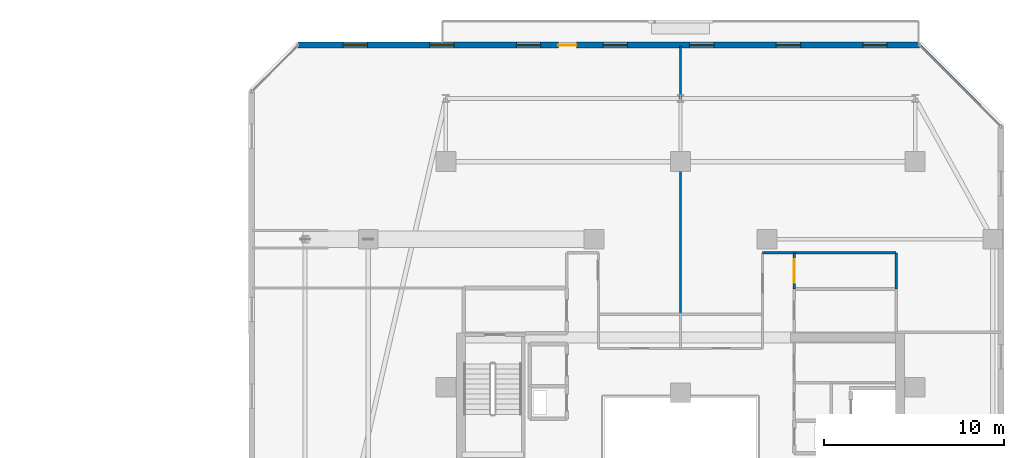
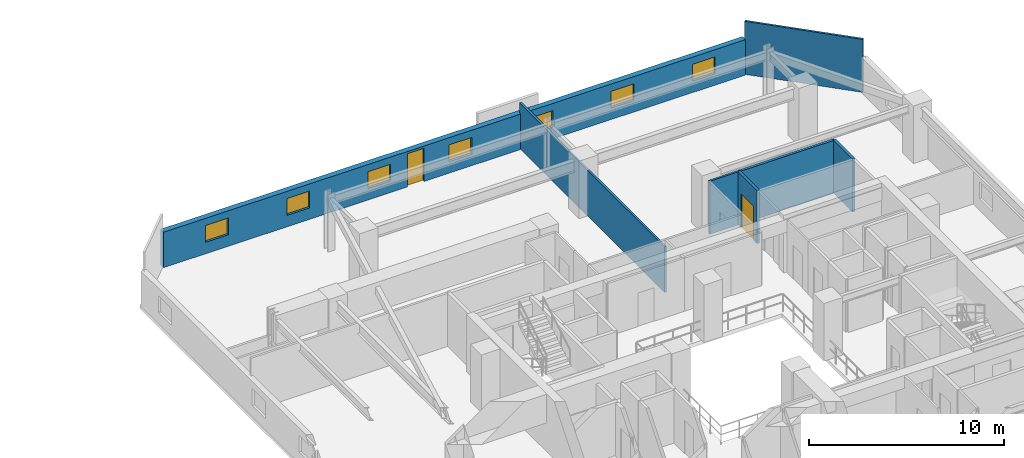
# One storey, part 29 of 36: 7 walls, 7 windows, 2 doors, 9 openings.
"""IFC4 building model written with IfcOpenShell, lengths in metres."""

from ifc_helpers import new_model, si_unit, direction, frame, frame_2d, origin, place, context, subcontext, project, spatial, rectangle, extrude, material, layer, layer_set, type_object, element, fill, save


model = new_model("IFC4")

# Units and contexts
model_context = context("Model", 3, precision=1e-05, world=origin(), true_north=direction((0.0, 1.0)))
body_context = subcontext(model_context, "Body", "Model", "MODEL_VIEW")
ifc_project = project(units=[si_unit("LENGTHUNIT", "METRE"), si_unit("AREAUNIT", "SQUARE_METRE"), si_unit("VOLUMEUNIT", "CUBIC_METRE"), si_unit("PLANEANGLEUNIT", "RADIAN"), si_unit("MASSUNIT", "GRAM", prefix="KILO")], contexts=[model_context])

# Site, building, storey
site_placement = place(None, origin())
site = spatial("IfcSite", under=ifc_project, at=site_placement, CompositionType="ELEMENT")
building_placement = place(site_placement, origin())
building = spatial("IfcBuilding", under=site, at=building_placement, Name="Thornwick Lancets Civic Towers", CompositionType="ELEMENT")
storey_placement = place(building_placement, frame((0.0, 0.0, 196.5)))
storey = spatial("IfcBuildingStorey", under=building, at=storey_placement, Name="L52", CompositionType="ELEMENT", Elevation=196.5)

# Wall, openings, door, windows
ifc_material_1 = material(Name="Insulated buff terracotta rainscreen on concrete C40/50", Category="masonry")
ifc_layer_1 = layer(ifc_material_1, 0.320068359375, Name="Insulated buff terracotta rainscreen on concrete C40/50")
ifc_layer_set_1 = layer_set([ifc_layer_1], Name="Insulated buff terracotta rainscreen on concrete C40/50")
wall_type_1 = type_object("IfcWallType", Name="WALL_EXT_TERRA_320", PredefinedType="STANDARD", material=ifc_layer_set_1)
wall_1_placement = place(storey_placement, frame((101.7509765625, 50.75830078125, 0.0), z_axis=(0.0, 0.0, 1.0), x_axis=(-0.999999983007, 0.000184351399, 0.0)))
wall_1 = element("IfcWall", 1, at=wall_1_placement, inside=storey, type_object=wall_type_1, Name="L52 Tower B Terracotta Facade Wall E4", PredefinedType="STANDARD", context=body_context, shape_type="SweptSolid", body=[
    extrude(rectangle(XDim=34.432373046875, YDim=0.320068359375, at=frame_2d((17.21630859375, 0.0))), origin(), (0.0, 0.0, 1.0), 2.219970703125),
])
opening_1_placement = place(wall_1_placement, frame((19.01611328125, 0.0, 0.0)))
opening_1 = element("IfcOpeningElement", 2, at=opening_1_placement, cuts=wall_1, Name="Opening D-BL-L52-BN", PredefinedType="OPENING", context=body_context, shape_type="SweptSolid", body=[
    extrude(rectangle(XDim=1.0, YDim=2.080078125, at=frame_2d((0.5, 1.0400390625))), frame((0.0, 0.169921875, 0.0), z_axis=(0.0, -1.0, 0.0), x_axis=(1.0, 0.0, 0.0)), (0.0, 0.0, 1.0), 0.340087890625),
])
opening_2_placement = place(wall_1_placement, frame((1.800048828125, 0.0, 0.719970703125)))
opening_2 = element("IfcOpeningElement", 3, at=opening_2_placement, cuts=wall_1, Name="Opening WL-03", PredefinedType="OPENING", context=body_context, shape_type="SweptSolid", body=[
    extrude(rectangle(XDim=1.35009765625, YDim=1.050048828125, at=frame_2d((0.675048828125, 0.52490234375))), frame((0.0, 0.169921875, 0.0), z_axis=(0.0, -1.0, 0.0), x_axis=(1.0, 0.0, 0.0)), (0.0, 0.0, 1.0), 0.340087890625),
])
opening_3_placement = place(wall_1_placement, frame((6.60009765625, 0.0, 0.719970703125)))
opening_3 = element("IfcOpeningElement", 4, at=opening_3_placement, cuts=wall_1, Name="Opening WL-03", PredefinedType="OPENING", context=body_context, shape_type="SweptSolid", body=[
    extrude(rectangle(XDim=1.35009765625, YDim=1.050048828125, at=frame_2d((0.675048828125, 0.52490234375))), frame((0.0, 0.169921875, 0.0), z_axis=(0.0, -1.0, 0.0), x_axis=(1.0, 0.0, 0.0)), (0.0, 0.0, 1.0), 0.340087890625),
])
opening_4_placement = place(wall_1_placement, frame((11.39990234375, 0.0, 0.719970703125)))
opening_4 = element("IfcOpeningElement", 5, at=opening_4_placement, cuts=wall_1, Name="Opening WL-03", PredefinedType="OPENING", context=body_context, shape_type="SweptSolid", body=[
    extrude(rectangle(XDim=1.35009765625, YDim=1.050048828125, at=frame_2d((0.675048828125, 0.52490234375))), frame((0.0, 0.169921875, 0.0), z_axis=(0.0, -1.0, 0.0), x_axis=(1.0, 0.0, 0.0)), (0.0, 0.0, 1.0), 0.340087890625),
])
opening_5_placement = place(wall_1_placement, frame((16.199951171875, 0.0, 0.719970703125)))
opening_5 = element("IfcOpeningElement", 6, at=opening_5_placement, cuts=wall_1, Name="Opening WL-03", PredefinedType="OPENING", context=body_context, shape_type="SweptSolid", body=[
    extrude(rectangle(XDim=1.35009765625, YDim=1.050048828125, at=frame_2d((0.675048828125, 0.52490234375))), frame((0.0, 0.169921875, 0.0), z_axis=(0.0, -1.0, 0.0), x_axis=(1.0, 0.0, 0.0)), (0.0, 0.0, 1.0), 0.340087890625),
])
opening_6_placement = place(wall_1_placement, frame((21.0, 0.0, 0.719970703125)))
opening_6 = element("IfcOpeningElement", 7, at=opening_6_placement, cuts=wall_1, Name="Opening WL-03", PredefinedType="OPENING", context=body_context, shape_type="SweptSolid", body=[
    extrude(rectangle(XDim=1.35009765625, YDim=1.050048828125, at=frame_2d((0.675048828125, 0.52490234375))), frame((0.0, 0.169921875, 0.0), z_axis=(0.0, -1.0, 0.0), x_axis=(1.0, 0.0, 0.0)), (0.0, 0.0, 1.0), 0.340087890625),
])
opening_7_placement = place(wall_1_placement, frame((25.800048828125, 0.0, 0.719970703125)))
opening_7 = element("IfcOpeningElement", 8, at=opening_7_placement, cuts=wall_1, Name="Opening WL-03", PredefinedType="OPENING", context=body_context, shape_type="SweptSolid", body=[
    extrude(rectangle(XDim=1.35009765625, YDim=1.050048828125, at=frame_2d((0.675048828125, 0.52490234375))), frame((0.0, 0.169921875, 0.0), z_axis=(0.0, -1.0, 0.0), x_axis=(1.0, 0.0, 0.0)), (0.0, 0.0, 1.0), 0.340087890625),
])
opening_8_placement = place(wall_1_placement, frame((30.60009765625, 0.0, 0.719970703125)))
opening_8 = element("IfcOpeningElement", 9, at=opening_8_placement, cuts=wall_1, Name="Opening WL-03", PredefinedType="OPENING", context=body_context, shape_type="SweptSolid", body=[
    extrude(rectangle(XDim=1.35009765625, YDim=1.050048828125, at=frame_2d((0.675048828125, 0.52490234375))), frame((0.0, 0.169921875, 0.0), z_axis=(0.0, -1.0, 0.0), x_axis=(1.0, 0.0, 0.0)), (0.0, 0.0, 1.0), 0.340087890625),
])
ifc_material_2 = material(Name="Thermally broken glazed loggia doorset")
door_type_1 = type_object("IfcDoorType", Name="DOOR_BALC_1000", OperationType="NOTDEFINED", PredefinedType="DOOR", material=ifc_material_2)
door_1_placement = place(opening_1_placement, origin())
door_1 = element("IfcDoor", 10, at=door_1_placement, inside=storey, type_object=door_type_1, Name="L52 Tower B Loggia Balcony Door N", OperationType="SINGLE_SWING_LEFT", OverallHeight=2.080078125, OverallWidth=1.0, PredefinedType="DOOR", context=body_context, shape_type="SweptSolid", body=[
    extrude(rectangle(XDim=1.0, YDim=2.080078125, at=frame_2d((0.5, 1.0400390625))), frame((0.0, 0.02490234375, 0.0), z_axis=(0.0, -1.0, 0.0), x_axis=(1.0, 0.0, 0.0)), (0.0, 0.0, 1.0), 0.050048828125),
])
fill(opening_1, door_1)
ifc_material_3 = material(Name="Clear low-e double glazing clerestory lancet", Category="glass")
window_type = type_object("IfcWindowType", Name="WIN_LANCET_1350", PartitioningType="SINGLE_PANEL", PredefinedType="WINDOW", material=ifc_material_3)
window_1_placement = place(opening_2_placement, origin())
window_1 = element("IfcWindow", 11, at=window_1_placement, inside=storey, type_object=window_type, Name="L52 Tower B Staggered Lancet Window E4-1", OverallHeight=1.050048828125, OverallWidth=1.35009765625, PartitioningType="SINGLE_PANEL", PredefinedType="WINDOW", context=body_context, shape_type="SweptSolid", body=[
    extrude(rectangle(XDim=1.35009765625, YDim=1.050048828125, at=frame_2d((0.675048828125, 0.52490234375))), frame((0.0, 0.030029296875, 0.0), z_axis=(0.0, -1.0, 0.0), x_axis=(1.0, 0.0, 0.0)), (0.0, 0.0, 1.0), 0.06005859375),
])
fill(opening_2, window_1)
window_2_placement = place(opening_3_placement, origin())
window_2 = element("IfcWindow", 12, at=window_2_placement, inside=storey, type_object=window_type, Name="L52 Tower B Staggered Lancet Window E4-2", OverallHeight=1.050048828125, OverallWidth=1.35009765625, PartitioningType="SINGLE_PANEL", PredefinedType="WINDOW", context=body_context, shape_type="SweptSolid", body=[
    extrude(rectangle(XDim=1.35009765625, YDim=1.050048828125, at=frame_2d((0.675048828125, 0.52490234375))), frame((0.0, 0.030029296875, 0.0), z_axis=(0.0, -1.0, 0.0), x_axis=(1.0, 0.0, 0.0)), (0.0, 0.0, 1.0), 0.06005859375),
])
fill(opening_3, window_2)
window_3_placement = place(opening_4_placement, origin())
window_3 = element("IfcWindow", 13, at=window_3_placement, inside=storey, type_object=window_type, Name="L52 Tower B Staggered Lancet Window E4-3", OverallHeight=1.050048828125, OverallWidth=1.35009765625, PartitioningType="SINGLE_PANEL", PredefinedType="WINDOW", context=body_context, shape_type="SweptSolid", body=[
    extrude(rectangle(XDim=1.35009765625, YDim=1.050048828125, at=frame_2d((0.675048828125, 0.52490234375))), frame((0.0, 0.030029296875, 0.0), z_axis=(0.0, -1.0, 0.0), x_axis=(1.0, 0.0, 0.0)), (0.0, 0.0, 1.0), 0.06005859375),
])
fill(opening_4, window_3)
window_4_placement = place(opening_5_placement, origin())
window_4 = element("IfcWindow", 14, at=window_4_placement, inside=storey, type_object=window_type, Name="L52 Tower B Staggered Lancet Window E4-4", OverallHeight=1.050048828125, OverallWidth=1.35009765625, PartitioningType="SINGLE_PANEL", PredefinedType="WINDOW", context=body_context, shape_type="SweptSolid", body=[
    extrude(rectangle(XDim=1.35009765625, YDim=1.050048828125, at=frame_2d((0.675048828125, 0.52490234375))), frame((0.0, 0.030029296875, 0.0), z_axis=(0.0, -1.0, 0.0), x_axis=(1.0, 0.0, 0.0)), (0.0, 0.0, 1.0), 0.06005859375),
])
fill(opening_5, window_4)
window_5_placement = place(opening_6_placement, origin())
window_5 = element("IfcWindow", 15, at=window_5_placement, inside=storey, type_object=window_type, Name="L52 Tower B Staggered Lancet Window E4-5", OverallHeight=1.050048828125, OverallWidth=1.35009765625, PartitioningType="SINGLE_PANEL", PredefinedType="WINDOW", context=body_context, shape_type="SweptSolid", body=[
    extrude(rectangle(XDim=1.35009765625, YDim=1.050048828125, at=frame_2d((0.675048828125, 0.52490234375))), frame((0.0, 0.030029296875, 0.0), z_axis=(0.0, -1.0, 0.0), x_axis=(1.0, 0.0, 0.0)), (0.0, 0.0, 1.0), 0.06005859375),
])
fill(opening_6, window_5)
window_6_placement = place(opening_7_placement, origin())
window_6 = element("IfcWindow", 16, at=window_6_placement, inside=storey, type_object=window_type, Name="L52 Tower B Staggered Lancet Window E4-6", OverallHeight=1.050048828125, OverallWidth=1.35009765625, PartitioningType="SINGLE_PANEL", PredefinedType="WINDOW", context=body_context, shape_type="SweptSolid", body=[
    extrude(rectangle(XDim=1.35009765625, YDim=1.050048828125, at=frame_2d((0.675048828125, 0.52490234375))), frame((0.0, 0.030029296875, 0.0), z_axis=(0.0, -1.0, 0.0), x_axis=(1.0, 0.0, 0.0)), (0.0, 0.0, 1.0), 0.06005859375),
])
fill(opening_7, window_6)
window_7_placement = place(opening_8_placement, origin())
window_7 = element("IfcWindow", 17, at=window_7_placement, inside=storey, type_object=window_type, Name="L52 Tower B Staggered Lancet Window E4-7", OverallHeight=1.050048828125, OverallWidth=1.35009765625, PartitioningType="SINGLE_PANEL", PredefinedType="WINDOW", context=body_context, shape_type="SweptSolid", body=[
    extrude(rectangle(XDim=1.35009765625, YDim=1.050048828125, at=frame_2d((0.675048828125, 0.52490234375))), frame((0.0, 0.030029296875, 0.0), z_axis=(0.0, -1.0, 0.0), x_axis=(1.0, 0.0, 0.0)), (0.0, 0.0, 1.0), 0.06005859375),
])
fill(opening_8, window_7)

# Walls
ifc_material_4 = material(Name="Acoustic gypsum board partition")
ifc_layer_2 = layer(ifc_material_4, 0.1201171875, Name="Acoustic gypsum board partition")
ifc_layer_set_2 = layer_set([ifc_layer_2], Name="Acoustic gypsum board partition")
wall_type_2 = type_object("IfcWallType", Name="WALL_PART_120", PredefinedType="PARTITIONING", material=ifc_layer_set_2)
wall_2_placement = place(storey_placement, frame((94.800048828125, 39.25, 0.0), z_axis=(0.0, 0.0, 1.0), x_axis=(-1.0, 0.0, 0.0)))
element("IfcWall", 18, at=wall_2_placement, inside=storey, type_object=wall_type_2, Name="L52 Partition L52-B-E2 E4", PredefinedType="PARTITIONING", context=body_context, shape_type="SweptSolid", body=[
    extrude(rectangle(XDim=1.75, YDim=0.1201171875, at=frame_2d((0.875, 0.0))), origin(), (0.0, 0.0, 1.0), 3.320068359375),
])
wall_3_placement = place(storey_placement, frame((88.5, 35.85009765625, 0.0), z_axis=(0.0, 0.0, 1.0), x_axis=(0.0, 1.0, 0.0)))
element("IfcWall", 19, at=wall_3_placement, inside=storey, type_object=wall_type_2, Name="L52 Partition L52-B-E2 E7", PredefinedType="PARTITIONING", context=body_context, shape_type="SweptSolid", body=[
    extrude(rectangle(XDim=14.869873046875, YDim=0.1201171875, at=frame_2d((7.43505859375, 0.0))), origin(), (0.0, 0.0, 1.0), 2.861572265625),
])
wall_4_placement = place(storey_placement, frame((101.787353515625, 50.719970703125, 0.0), z_axis=(0.0, 0.0, 1.0), x_axis=(0.707106781187, -0.707106781187, 0.0)))
element("IfcWall", 20, at=wall_4_placement, inside=storey, type_object=wall_type_2, Name="L52 Partition L52-B-E2 E9", PredefinedType="PARTITIONING", context=body_context, shape_type="SweptSolid", body=[
    extrude(rectangle(XDim=6.2685546875, YDim=0.1201171875, at=frame_2d((3.13427734375, 0.0))), origin(), (0.0, 0.0, 1.0), 3.320068359375),
])

# Wall, opening, door
ifc_material_5 = material(Name="Twin-stud acoustic gypsum board")
ifc_layer_3 = layer(ifc_material_5, 0.14990234375, Name="Twin-stud acoustic gypsum board")
ifc_layer_set_3 = layer_set([ifc_layer_3], Name="Twin-stud acoustic gypsum board")
wall_type_3 = type_object("IfcWallType", Name="WALL_PART_150", PredefinedType="PARTITIONING", material=ifc_layer_set_3)
wall_5_placement = place(storey_placement, frame((94.800048828125, 37.25, 0.0), z_axis=(0.0, 0.0, 1.0), x_axis=(0.0, 1.0, 0.0)))
wall_5 = element("IfcWall", 21, at=wall_5_placement, inside=storey, type_object=wall_type_3, Name="L52 Partition L52-B-RECLAIM-L2 E1", PredefinedType="PARTITIONING", context=body_context, shape_type="SweptSolid", body=[
    extrude(rectangle(XDim=2.0, YDim=0.14990234375, at=frame_2d((1.0, 0.0))), origin(), (0.0, 0.0, 1.0), 3.320068359375),
])
opening_9_placement = place(wall_5_placement, frame((0.35009765625, 0.0, 0.0)))
opening_9 = element("IfcOpeningElement", 22, at=opening_9_placement, cuts=wall_5, Name="Opening D-L52-2332", PredefinedType="OPENING", context=body_context, shape_type="SweptSolid", body=[
    extrude(rectangle(XDim=1.300048828125, YDim=2.1201171875, at=frame_2d((0.64990234375, 1.06005859375))), frame((0.0, 0.0849609375, 0.0), z_axis=(0.0, -1.0, 0.0), x_axis=(1.0, 0.0, 0.0)), (0.0, 0.0, 1.0), 0.169921875),
])
ifc_material_6 = material(Name="Acoustic oak leaf-and-a-half doorset")
door_type_2 = type_object("IfcDoorType", Name="DOOR_MEET_1300", OperationType="DOUBLE_DOOR_SINGLE_SWING", PredefinedType="DOOR", material=ifc_material_6)
door_2_placement = place(opening_9_placement, origin())
door_2 = element("IfcDoor", 23, at=door_2_placement, inside=storey, type_object=door_type_2, Name="L52 Tower B Ministerial Consultation Room Door", OperationType="DOUBLE_DOOR_SINGLE_SWING", OverallHeight=2.1201171875, OverallWidth=1.300048828125, PredefinedType="DOOR", context=body_context, shape_type="SweptSolid", body=[
    extrude(rectangle(XDim=1.300048828125, YDim=2.1201171875, at=frame_2d((0.64990234375, 1.06005859375))), frame((0.0, 0.02490234375, 0.0), z_axis=(0.0, -1.0, 0.0), x_axis=(1.0, 0.0, 0.0)), (0.0, 0.0, 1.0), 0.050048828125),
])
fill(opening_9, door_2)

# Walls
wall_6_placement = place(storey_placement, frame((94.800048828125, 39.25, 0.0), z_axis=(0.0, 0.0, 1.0), x_axis=(1.0, 0.0, 0.0)))
element("IfcWall", 24, at=wall_6_placement, inside=storey, type_object=wall_type_3, Name="L52 Partition L52-B-RECLAIM-L2 E2", PredefinedType="PARTITIONING", context=body_context, shape_type="SweptSolid", body=[
    extrude(rectangle(XDim=5.64990234375, YDim=0.14990234375, at=frame_2d((2.824951171875, 0.0))), origin(), (0.0, 0.0, 1.0), 3.320068359375),
])
wall_7_placement = place(storey_placement, frame((100.449951171875, 39.25, 0.0), z_axis=(0.0, 0.0, 1.0), x_axis=(0.0, -1.0, 0.0)))
element("IfcWall", 25, at=wall_7_placement, inside=storey, type_object=wall_type_3, Name="L52 Partition L52-B-RECLAIM-L2 E3", PredefinedType="PARTITIONING", context=body_context, shape_type="SweptSolid", body=[
    extrude(rectangle(XDim=2.0, YDim=0.14990234375, at=frame_2d((1.0, 0.0))), origin(), (0.0, 0.0, 1.0), 3.320068359375),
])

save(model, "model.ifc")
